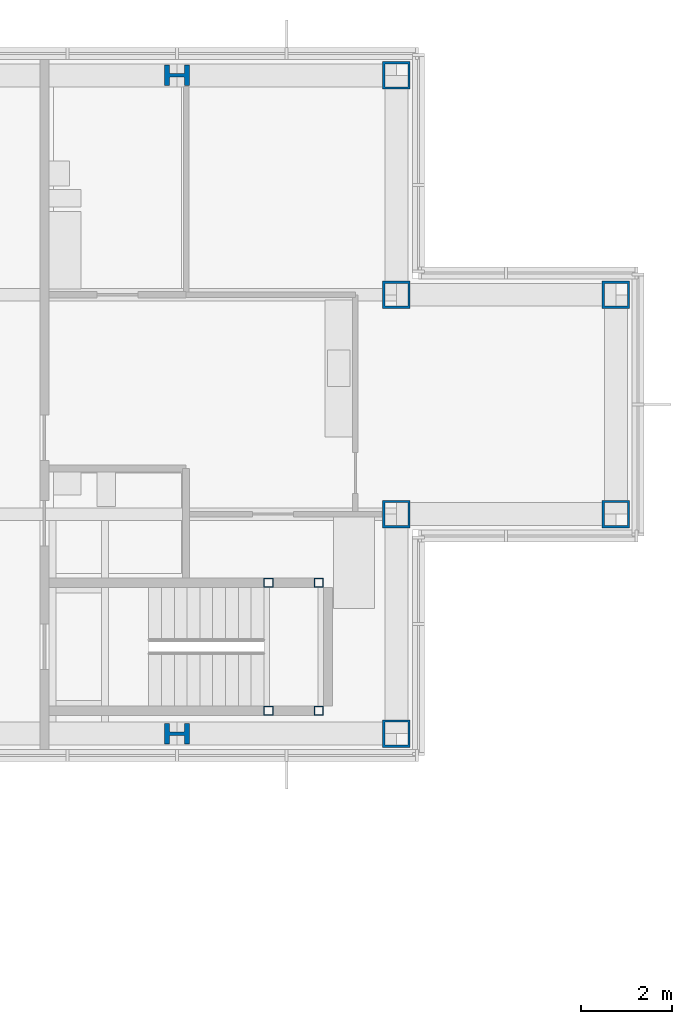
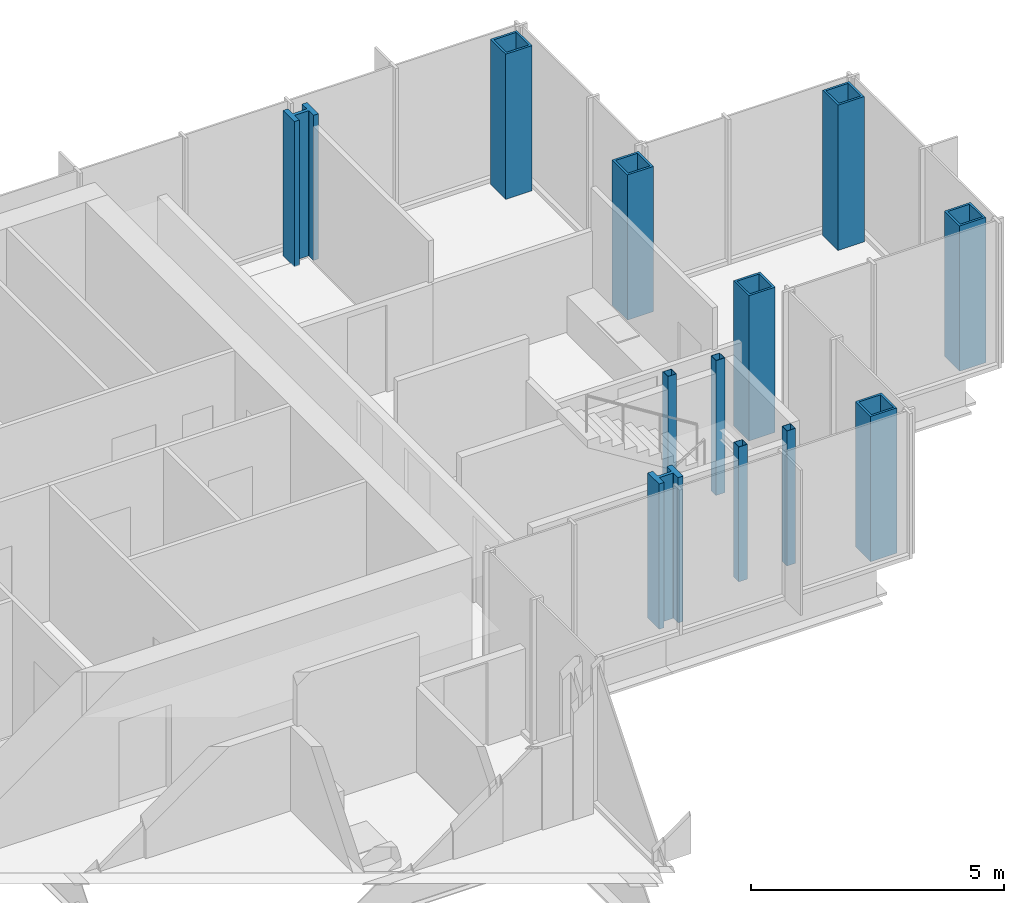
# One storey, part 4 of 15: 12 columns.
"""IFC4 building model written with IfcOpenShell, lengths in metres."""

from ifc_helpers import new_model, si_unit, direction, frame, origin, origin_2d, place, context, subcontext, project, spatial, hollow_rectangle, i_section, extrude, material, material_profile, profile_set, type_object, element, save


model = new_model("IFC4")

# Units and contexts
model_context = context("Model", 3, precision=1e-05, world=origin(), true_north=direction((0.0, 1.0)))
body_context = subcontext(model_context, "Body", "Model", "MODEL_VIEW")
ifc_project = project(units=[si_unit("LENGTHUNIT", "METRE"), si_unit("AREAUNIT", "SQUARE_METRE"), si_unit("VOLUMEUNIT", "CUBIC_METRE"), si_unit("PLANEANGLEUNIT", "RADIAN"), si_unit("MASSUNIT", "GRAM", prefix="KILO")], contexts=[model_context])

# Site, building, storey
site_placement = place(None, origin())
site = spatial("IfcSite", under=ifc_project, at=site_placement, CompositionType="ELEMENT")
building_placement = place(site_placement, origin())
building = spatial("IfcBuilding", under=site, at=building_placement, Name="Kvirike Care Tower", CompositionType="ELEMENT")
storey_placement = place(building_placement, frame((0.0, 0.0, 240.0)))
storey = spatial("IfcBuildingStorey", under=building, at=storey_placement, Name="L66", CompositionType="ELEMENT", Elevation=240.0)

# Columns
ifc_material_1 = material(Name="Steel S460", Category="steel")
ifc_material_profile_1 = material_profile(ifc_material_1, hollow_rectangle(XDim=0.60009765625, YDim=0.60009765625, WallThickness=0.050048828125, at=origin_2d()), Name="BX 600x600x50")
ifc_profile_set_1 = profile_set([ifc_material_profile_1], Name="Steel S460")
column_type_1 = type_object("IfcColumnType", Name="COLUMN BX 600x600x50", PredefinedType="COLUMN", material=ifc_profile_set_1)
for number, where, z_axis, x_axis, name in (
    (1, (38.39990234375, 28.800048828125, 0.0), (0.0, 0.0, 1.0), (0.0, 1.0, 0.0), "Column G11 L66"),
    (2, (38.39990234375, 33.60009765625, 0.0), (0.0, 0.0, 1.0), (0.0, 1.0, 0.0), "Column H11 L66"),
    (3, (38.39990234375, 38.39990234375, 0.0), (0.0, 0.0, 1.0), (0.0, 1.0, 0.0), "Column J11 L66"),
    (4, (38.39990234375, 43.199951171875, 0.0), (0.0, 0.0, 1.0), (0.0, 1.0, 0.0), "Column K11 L66"),
    (5, (43.199951171875, 33.60009765625, 0.0), (0.0, 0.0, 1.0), (0.0, 1.0, 0.0), "Column H12 L66"),
    (6, (43.199951171875, 38.39990234375, 0.0), (0.0, 0.0, 1.0), (0.0, 1.0, 0.0), "Column J12 L66"),
):
    element("IfcColumn", number, at=place(storey_placement, frame(where, z_axis=z_axis, x_axis=x_axis)), inside=storey, type_object=column_type_1, Name=name, PredefinedType="COLUMN", context=body_context, shape_type="SweptSolid", body=[
        extrude(hollow_rectangle(XDim=0.60009765625, YDim=0.60009765625, WallThickness=0.050048828125, at=origin_2d()), origin(), (0.0, 0.0, 1.0), 3.5),
    ])
ifc_material_2 = material(Name="Steel S460", Category="steel")
ifc_material_profile_2 = material_profile(ifc_material_2, i_section(OverallWidth=0.447998046875, OverallDepth=0.550048828125, WebThickness=0.072021484375, FlangeThickness=0.114990234375, FilletRadius=0.014892578125, at=origin_2d()), Name="HD 400x990")
ifc_profile_set_2 = profile_set([ifc_material_profile_2], Name="Steel S460")
column_type_2 = type_object("IfcColumnType", Name="COLUMN HD 400x990", PredefinedType="COLUMN", material=ifc_profile_set_2)
for number, where, z_axis, x_axis, name in (
    (7, (33.60009765625, 28.800048828125, 0.0), (0.0, 0.0, 1.0), (0.0, 1.0, 0.0), "Column G10 L66"),
    (8, (33.60009765625, 43.199951171875, 0.0), (0.0, 0.0, 1.0), (0.0, 1.0, 0.0), "Column K10 L66"),
):
    element("IfcColumn", number, at=place(storey_placement, frame(where, z_axis=z_axis, x_axis=x_axis)), inside=storey, type_object=column_type_2, Name=name, PredefinedType="COLUMN", context=body_context, shape_type="SweptSolid", body=[
        extrude(i_section(OverallWidth=0.447998046875, OverallDepth=0.550048828125, WebThickness=0.072021484375, FlangeThickness=0.114990234375, FilletRadius=0.014892578125, at=origin_2d()), origin(), (0.0, 0.0, 1.0), 3.5),
    ])
ifc_material_3 = material(Name="Steel S460", Category="steel")
ifc_material_profile_3 = material_profile(ifc_material_3, hollow_rectangle(XDim=0.199951171875, YDim=0.199951171875, WallThickness=0.008056640625, at=origin_2d()), Name="SHS 200x200x8")
ifc_profile_set_3 = profile_set([ifc_material_profile_3], Name="Steel S460")
column_type_3 = type_object("IfcColumnType", Name="STAIR POST SHS 200x200x8", PredefinedType="COLUMN", material=ifc_profile_set_3)
for number, where, z_axis, x_axis, name in (
    (9, (36.699951171875, 29.300048828125, 0.0), (0.0, 0.0, 1.0), (1.0, 0.0, 0.0), "Stair 2 post 1 L66"),
    (10, (36.699951171875, 32.10009765625, 0.0), (0.0, 0.0, 1.0), (1.0, 0.0, 0.0), "Stair 2 post 2 L66"),
    (11, (35.60009765625, 29.300048828125, 0.0), (0.0, 0.0, 1.0), (1.0, 0.0, 0.0), "Stair 2 post 3 L66"),
    (12, (35.60009765625, 32.10009765625, 0.0), (0.0, 0.0, 1.0), (1.0, 0.0, 0.0), "Stair 2 post 4 L66"),
):
    element("IfcColumn", number, at=place(storey_placement, frame(where, z_axis=z_axis, x_axis=x_axis)), inside=storey, type_object=column_type_3, Name=name, PredefinedType="COLUMN", context=body_context, shape_type="SweptSolid", body=[
        extrude(hollow_rectangle(XDim=0.199951171875, YDim=0.199951171875, WallThickness=0.008056640625, at=origin_2d()), origin(), (0.0, 0.0, 1.0), 3.25),
    ])

save(model, "model.ifc")
